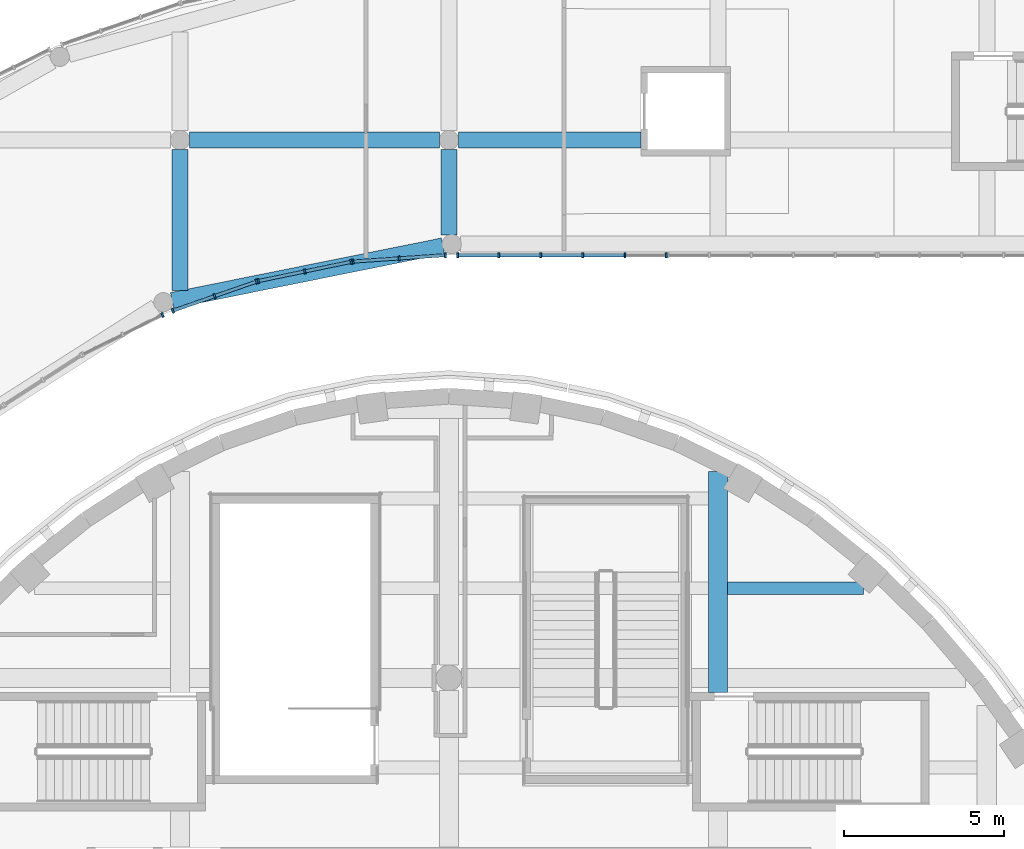
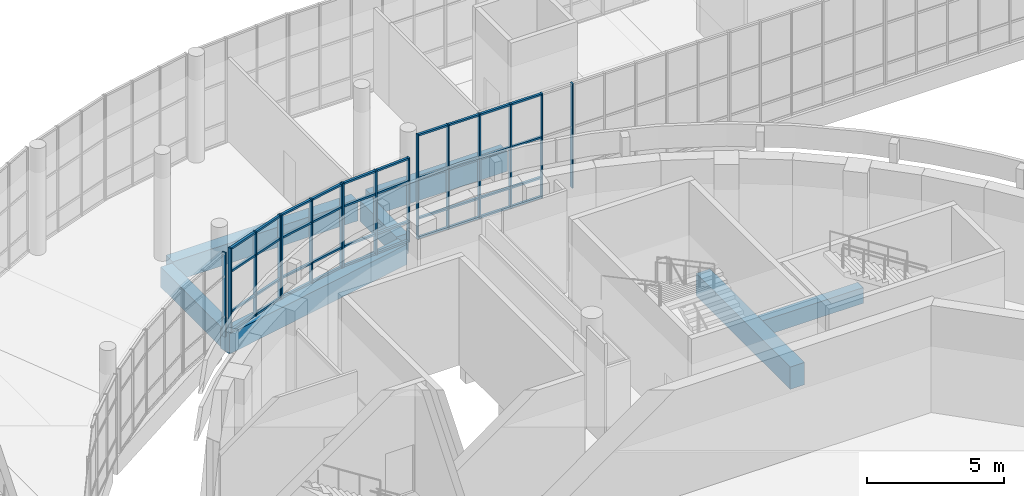
# One storey, part 29 of 119: 56 members, 7 beams, 5 elements without a shape of their own.
"""IFC4 building model written with IfcOpenShell, lengths in metres."""

from ifc_helpers import new_model, si_unit, direction, frame, origin, origin_2d, place, context, subcontext, project, spatial, rectangle, extrude, material, layer, layer_set, material_profile, profile_set, type_object, element, aggregate, save


model = new_model("IFC4")

# Units and contexts
model_context = context("Model", 3, precision=1e-05, world=origin(), true_north=direction((0.0, 1.0)))
body_context = subcontext(model_context, "Body", "Model", "MODEL_VIEW")
ifc_project = project(units=[si_unit("LENGTHUNIT", "METRE"), si_unit("AREAUNIT", "SQUARE_METRE"), si_unit("VOLUMEUNIT", "CUBIC_METRE"), si_unit("PLANEANGLEUNIT", "RADIAN"), si_unit("MASSUNIT", "GRAM", prefix="KILO")], contexts=[model_context])

# Site, building, storey
site_placement = place(None, origin())
site = spatial("IfcSite", under=ifc_project, at=site_placement, CompositionType="ELEMENT")
building_placement = place(site_placement, origin())
building = spatial("IfcBuilding", under=site, at=building_placement, Name="Larchfold Concert Hall", CompositionType="ELEMENT")
storey_placement = place(building_placement, frame((0.0, 0.0, 4.800048828125)))
storey = spatial("IfcBuildingStorey", under=building, at=storey_placement, Name="L01", CompositionType="ELEMENT", Elevation=4.800048828125)

# Curtain wall, member
ifc_material_1 = material(Name="Anodised graphite aluminium curtain wall", Category="aluminium")
ifc_layer = layer(ifc_material_1, 0.14990234375)
ifc_layer_set = layer_set([ifc_layer], Name="Anodised graphite aluminium curtain wall")
curtain_wall_type = type_object("IfcCurtainWallType", Name="Curtain wall WG", PredefinedType="NOTDEFINED", material=ifc_layer_set)
curtain_wall_1_placement = place(storey_placement, origin())
curtain_wall_1 = element("IfcCurtainWall", 1, at=curtain_wall_1_placement, inside=storey, type_object=curtain_wall_type, Name="Curtain wall CW0162", PredefinedType="NOTDEFINED")
ifc_material_2 = material(Name="Anodised graphite aluminium mullion", Category="aluminium")
ifc_material_profile_1 = material_profile(ifc_material_2, rectangle(XDim=0.14990234375, YDim=0.06005859375, at=origin_2d()))
ifc_profile_set_1 = profile_set([ifc_material_profile_1], Name="Anodised graphite aluminium mullion")
member_type_1 = type_object("IfcMemberType", Name="Aluminium mullion 60x150", PredefinedType="MULLION", material=ifc_profile_set_1)
member_1_placement = place(storey_placement, frame((33.65087890625, 121.135498046875, 0.0), z_axis=(0.0, 0.0, 1.0), x_axis=(-0.442304846598, 0.896864773907, 0.0)))
member_1 = element("IfcMember", 2, at=member_1_placement, type_object=member_type_1, Name="CW0162 mullion 3", PredefinedType="MULLION", context=body_context, shape_type="SweptSolid", body=[
    extrude(rectangle(XDim=0.14990234375, YDim=0.06005859375, at=origin_2d()), origin(), (0.0, 0.0, 1.0), 3.75),
])
aggregate(curtain_wall_1, [member_1])

# Curtain wall, members
curtain_wall_2_placement = place(storey_placement, origin())
curtain_wall_2 = element("IfcCurtainWall", 3, at=curtain_wall_2_placement, inside=storey, type_object=curtain_wall_type, Name="Curtain wall CW0163", PredefinedType="NOTDEFINED")
member_2_placement = place(storey_placement, frame((33.97412109375, 121.268310546875, 0.0), z_axis=(0.0, 0.0, 1.0), x_axis=(-0.32896587199, 0.944341810504, 0.0)))
member_2 = element("IfcMember", 4, at=member_2_placement, type_object=member_type_1, Name="CW0163 mullion 1", PredefinedType="MULLION", context=body_context, shape_type="SweptSolid", body=[
    extrude(rectangle(XDim=0.14990234375, YDim=0.06005859375, at=origin_2d()), origin(), (0.0, 0.0, 1.0), 3.75),
])
member_3_placement = place(storey_placement, frame((35.28125, 121.723876953125, 0.0), z_axis=(0.0, 0.0, 1.0), x_axis=(-0.32896587199, 0.944341810504, 0.0)))
member_3 = element("IfcMember", 5, at=member_3_placement, type_object=member_type_1, Name="CW0163 mullion 2", PredefinedType="MULLION", context=body_context, shape_type="SweptSolid", body=[
    extrude(rectangle(XDim=0.14990234375, YDim=0.06005859375, at=origin_2d()), origin(), (0.0, 0.0, 1.0), 3.75),
])
member_4_placement = place(storey_placement, frame((36.58837890625, 122.17919921875, 0.0), z_axis=(0.0, 0.0, 1.0), x_axis=(-0.32896587199, 0.944341810504, 0.0)))
member_4 = element("IfcMember", 6, at=member_4_placement, type_object=member_type_1, Name="CW0163 mullion 3", PredefinedType="MULLION", context=body_context, shape_type="SweptSolid", body=[
    extrude(rectangle(XDim=0.14990234375, YDim=0.06005859375, at=origin_2d()), origin(), (0.0, 0.0, 1.0), 3.75),
])

curtain_wall_3_placement = place(storey_placement, origin())
curtain_wall_3 = element("IfcCurtainWall", 7, at=curtain_wall_3_placement, inside=storey, type_object=curtain_wall_type, Name="Curtain wall CW0164", PredefinedType="NOTDEFINED")
member_5_placement = place(storey_placement, frame((36.64599609375, 122.195068359375, 0.0), z_axis=(0.0, 0.0, 1.0), x_axis=(-0.203062857741, 0.979165703957, 0.0)))
member_5 = element("IfcMember", 8, at=member_5_placement, type_object=member_type_1, Name="CW0164 mullion 1", PredefinedType="MULLION", context=body_context, shape_type="SweptSolid", body=[
    extrude(rectangle(XDim=0.14990234375, YDim=0.06005859375, at=origin_2d()), origin(), (0.0, 0.0, 1.0), 3.75),
])
member_6_placement = place(storey_placement, frame((38.0947265625, 122.495361328125, 0.0), z_axis=(0.0, 0.0, 1.0), x_axis=(-0.203062857741, 0.979165703957, 0.0)))
member_6 = element("IfcMember", 9, at=member_6_placement, type_object=member_type_1, Name="CW0164 mullion 2", PredefinedType="MULLION", context=body_context, shape_type="SweptSolid", body=[
    extrude(rectangle(XDim=0.14990234375, YDim=0.06005859375, at=origin_2d()), origin(), (0.0, 0.0, 1.0), 3.75),
])
member_7_placement = place(storey_placement, frame((39.54345703125, 122.7958984375, 0.0), z_axis=(0.0, 0.0, 1.0), x_axis=(-0.203062857741, 0.979165703957, 0.0)))
member_7 = element("IfcMember", 10, at=member_7_placement, type_object=member_type_1, Name="CW0164 mullion 3", PredefinedType="MULLION", context=body_context, shape_type="SweptSolid", body=[
    extrude(rectangle(XDim=0.14990234375, YDim=0.06005859375, at=origin_2d()), origin(), (0.0, 0.0, 1.0), 3.75),
])

curtain_wall_4_placement = place(storey_placement, origin())
curtain_wall_4 = element("IfcCurtainWall", 11, at=curtain_wall_4_placement, inside=storey, type_object=curtain_wall_type, Name="Curtain wall CW0165", PredefinedType="NOTDEFINED")
member_8_placement = place(storey_placement, frame((39.602783203125, 122.803955078125, 0.0), z_axis=(0.0, 0.0, 1.0), x_axis=(-0.068699827674, 0.997637375842, 0.0)))
member_8 = element("IfcMember", 12, at=member_8_placement, type_object=member_type_1, Name="CW0165 mullion 1", PredefinedType="MULLION", context=body_context, shape_type="SweptSolid", body=[
    extrude(rectangle(XDim=0.14990234375, YDim=0.06005859375, at=origin_2d()), origin(), (0.0, 0.0, 1.0), 3.75),
])
member_9_placement = place(storey_placement, frame((41.044189453125, 122.9033203125, 0.0), z_axis=(0.0, 0.0, 1.0), x_axis=(-0.068699827674, 0.997637375842, 0.0)))
member_9 = element("IfcMember", 13, at=member_9_placement, type_object=member_type_1, Name="CW0165 mullion 2", PredefinedType="MULLION", context=body_context, shape_type="SweptSolid", body=[
    extrude(rectangle(XDim=0.14990234375, YDim=0.06005859375, at=origin_2d()), origin(), (0.0, 0.0, 1.0), 3.75),
])
member_10_placement = place(storey_placement, frame((42.4853515625, 123.002685546875, 0.0), z_axis=(0.0, 0.0, 1.0), x_axis=(-0.068699827674, 0.997637375842, 0.0)))
member_10 = element("IfcMember", 14, at=member_10_placement, type_object=member_type_1, Name="CW0165 mullion 3", PredefinedType="MULLION", context=body_context, shape_type="SweptSolid", body=[
    extrude(rectangle(XDim=0.14990234375, YDim=0.06005859375, at=origin_2d()), origin(), (0.0, 0.0, 1.0), 3.75),
])

curtain_wall_5_placement = place(storey_placement, origin())
curtain_wall_5 = element("IfcCurtainWall", 15, at=curtain_wall_5_placement, inside=storey, type_object=curtain_wall_type, Name="Curtain wall CW0166", PredefinedType="NOTDEFINED")
member_11_placement = place(storey_placement, frame((42.87158203125, 123.0, 0.0), z_axis=(0.0, 0.0, 1.0), x_axis=(0.0, 1.0, 0.0)))
member_11 = element("IfcMember", 16, at=member_11_placement, type_object=member_type_1, Name="CW0166 mullion 1", PredefinedType="MULLION", context=body_context, shape_type="SweptSolid", body=[
    extrude(rectangle(XDim=0.14990234375, YDim=0.06005859375, at=origin_2d()), origin(), (0.0, 0.0, 1.0), 4.64990234375),
])
member_12_placement = place(storey_placement, frame((44.155517578125, 123.0, 0.0), z_axis=(0.0, 0.0, 1.0), x_axis=(0.0, 1.0, 0.0)))
member_12 = element("IfcMember", 17, at=member_12_placement, type_object=member_type_1, Name="CW0166 mullion 2", PredefinedType="MULLION", context=body_context, shape_type="SweptSolid", body=[
    extrude(rectangle(XDim=0.14990234375, YDim=0.06005859375, at=origin_2d()), origin(), (0.0, 0.0, 1.0), 4.64990234375),
])
member_13_placement = place(storey_placement, frame((45.4697265625, 123.0, 0.0), z_axis=(0.0, 0.0, 1.0), x_axis=(0.0, 1.0, 0.0)))
member_13 = element("IfcMember", 18, at=member_13_placement, type_object=member_type_1, Name="CW0166 mullion 3", PredefinedType="MULLION", context=body_context, shape_type="SweptSolid", body=[
    extrude(rectangle(XDim=0.14990234375, YDim=0.06005859375, at=origin_2d()), origin(), (0.0, 0.0, 1.0), 4.64990234375),
])
member_14_placement = place(storey_placement, frame((46.78369140625, 123.0, 0.0), z_axis=(0.0, 0.0, 1.0), x_axis=(0.0, 1.0, 0.0)))
member_14 = element("IfcMember", 19, at=member_14_placement, type_object=member_type_1, Name="CW0166 mullion 4", PredefinedType="MULLION", context=body_context, shape_type="SweptSolid", body=[
    extrude(rectangle(XDim=0.14990234375, YDim=0.06005859375, at=origin_2d()), origin(), (0.0, 0.0, 1.0), 4.64990234375),
])
member_15_placement = place(storey_placement, frame((48.097900390625, 123.0, 0.0), z_axis=(0.0, 0.0, 1.0), x_axis=(0.0, 1.0, 0.0)))
member_15 = element("IfcMember", 20, at=member_15_placement, type_object=member_type_1, Name="CW0166 mullion 5", PredefinedType="MULLION", context=body_context, shape_type="SweptSolid", body=[
    extrude(rectangle(XDim=0.14990234375, YDim=0.06005859375, at=origin_2d()), origin(), (0.0, 0.0, 1.0), 4.64990234375),
])
member_16_placement = place(storey_placement, frame((49.3818359375, 123.0, 0.0), z_axis=(0.0, 0.0, 1.0), x_axis=(0.0, 1.0, 0.0)))
member_16 = element("IfcMember", 21, at=member_16_placement, type_object=member_type_1, Name="CW0166 mullion 6", PredefinedType="MULLION", context=body_context, shape_type="SweptSolid", body=[
    extrude(rectangle(XDim=0.14990234375, YDim=0.06005859375, at=origin_2d()), origin(), (0.0, 0.0, 1.0), 4.64990234375),
])

# Member
ifc_material_3 = material(Name="Anodised graphite aluminium transom", Category="aluminium")
ifc_material_profile_2 = material_profile(ifc_material_3, rectangle(XDim=0.10009765625, YDim=0.080078125, at=origin_2d()))
ifc_profile_set_2 = profile_set([ifc_material_profile_2], Name="Anodised graphite aluminium transom")
member_type_2 = type_object("IfcMemberType", Name="Aluminium transom 80x100", PredefinedType="USERDEFINED", material=ifc_profile_set_2)
member_17_placement = place(storey_placement, frame((34.00244140625, 121.2783203125, 0.0400390625), z_axis=(0.944357421744, 0.328921054352, 0.0), x_axis=(-0.328921054352, 0.944357421744, 0.0)))
member_17 = element("IfcMember", 22, at=member_17_placement, type_object=member_type_2, Name="CW0163 transom 1.1", ObjectType="TRANSOM", PredefinedType="USERDEFINED", context=body_context, shape_type="SweptSolid", body=[
    extrude(rectangle(XDim=0.10009765625, YDim=0.080078125, at=origin_2d()), origin(), (0.0, 0.0, 1.0), 1.32421875),
])

member_18_placement = place(storey_placement, frame((34.00244140625, 121.2783203125, 0.89990234375), z_axis=(0.944357421744, 0.328921054352, 0.0), x_axis=(-0.328921054352, 0.944357421744, 0.0)))
member_18 = element("IfcMember", 23, at=member_18_placement, type_object=member_type_2, Name="CW0163 transom 1.2", ObjectType="TRANSOM", PredefinedType="USERDEFINED", context=body_context, shape_type="SweptSolid", body=[
    extrude(rectangle(XDim=0.10009765625, YDim=0.080078125, at=origin_2d()), origin(), (0.0, 0.0, 1.0), 1.32421875),
])

member_19_placement = place(storey_placement, frame((34.00244140625, 121.2783203125, 2.699951171875), z_axis=(0.944357421744, 0.328921054352, 0.0), x_axis=(-0.328921054352, 0.944357421744, 0.0)))
member_19 = element("IfcMember", 24, at=member_19_placement, type_object=member_type_2, Name="CW0163 transom 1.3", ObjectType="TRANSOM", PredefinedType="USERDEFINED", context=body_context, shape_type="SweptSolid", body=[
    extrude(rectangle(XDim=0.10009765625, YDim=0.080078125, at=origin_2d()), origin(), (0.0, 0.0, 1.0), 1.32421875),
])

member_20_placement = place(storey_placement, frame((34.00244140625, 121.2783203125, 3.7099609375), z_axis=(0.944357421744, 0.328921054352, 0.0), x_axis=(-0.328921054352, 0.944357421744, 0.0)))
member_20 = element("IfcMember", 25, at=member_20_placement, type_object=member_type_2, Name="CW0163 transom 1.4", ObjectType="TRANSOM", PredefinedType="USERDEFINED", context=body_context, shape_type="SweptSolid", body=[
    extrude(rectangle(XDim=0.10009765625, YDim=0.080078125, at=origin_2d()), origin(), (0.0, 0.0, 1.0), 1.32421875),
])

member_21_placement = place(storey_placement, frame((35.3095703125, 121.733642578125, 0.0400390625), z_axis=(0.944357421744, 0.328921054352, 0.0), x_axis=(-0.328921054352, 0.944357421744, 0.0)))
member_21 = element("IfcMember", 26, at=member_21_placement, type_object=member_type_2, Name="CW0163 transom 2.1", ObjectType="TRANSOM", PredefinedType="USERDEFINED", context=body_context, shape_type="SweptSolid", body=[
    extrude(rectangle(XDim=0.10009765625, YDim=0.080078125, at=origin_2d()), origin(), (0.0, 0.0, 1.0), 1.32421875),
])

member_22_placement = place(storey_placement, frame((35.3095703125, 121.733642578125, 0.89990234375), z_axis=(0.944357421744, 0.328921054352, 0.0), x_axis=(-0.328921054352, 0.944357421744, 0.0)))
member_22 = element("IfcMember", 27, at=member_22_placement, type_object=member_type_2, Name="CW0163 transom 2.2", ObjectType="TRANSOM", PredefinedType="USERDEFINED", context=body_context, shape_type="SweptSolid", body=[
    extrude(rectangle(XDim=0.10009765625, YDim=0.080078125, at=origin_2d()), origin(), (0.0, 0.0, 1.0), 1.32421875),
])

member_23_placement = place(storey_placement, frame((35.3095703125, 121.733642578125, 2.699951171875), z_axis=(0.944357421744, 0.328921054352, 0.0), x_axis=(-0.328921054352, 0.944357421744, 0.0)))
member_23 = element("IfcMember", 28, at=member_23_placement, type_object=member_type_2, Name="CW0163 transom 2.3", ObjectType="TRANSOM", PredefinedType="USERDEFINED", context=body_context, shape_type="SweptSolid", body=[
    extrude(rectangle(XDim=0.10009765625, YDim=0.080078125, at=origin_2d()), origin(), (0.0, 0.0, 1.0), 1.32421875),
])

member_24_placement = place(storey_placement, frame((35.3095703125, 121.733642578125, 3.7099609375), z_axis=(0.944357421744, 0.328921054352, 0.0), x_axis=(-0.328921054352, 0.944357421744, 0.0)))
member_24 = element("IfcMember", 29, at=member_24_placement, type_object=member_type_2, Name="CW0163 transom 2.4", ObjectType="TRANSOM", PredefinedType="USERDEFINED", context=body_context, shape_type="SweptSolid", body=[
    extrude(rectangle(XDim=0.10009765625, YDim=0.080078125, at=origin_2d()), origin(), (0.0, 0.0, 1.0), 1.32421875),
])

aggregate(curtain_wall_2, [member_2, member_3, member_4, member_17, member_18, member_19, member_20, member_21, member_22, member_23, member_24])

member_25_placement = place(storey_placement, frame((36.675537109375, 122.201171875, 0.0400390625), z_axis=(0.979153204185, 0.203123122105, 0.0), x_axis=(-0.203123122105, 0.979153204185, 0.0)))
member_25 = element("IfcMember", 30, at=member_25_placement, type_object=member_type_2, Name="CW0164 transom 1.1", ObjectType="TRANSOM", PredefinedType="USERDEFINED", context=body_context, shape_type="SweptSolid", body=[
    extrude(rectangle(XDim=0.10009765625, YDim=0.080078125, at=origin_2d()), origin(), (0.0, 0.0, 1.0), 1.41943359375),
])

member_26_placement = place(storey_placement, frame((36.675537109375, 122.201171875, 0.89990234375), z_axis=(0.979153204185, 0.203123122105, 0.0), x_axis=(-0.203123122105, 0.979153204185, 0.0)))
member_26 = element("IfcMember", 31, at=member_26_placement, type_object=member_type_2, Name="CW0164 transom 1.2", ObjectType="TRANSOM", PredefinedType="USERDEFINED", context=body_context, shape_type="SweptSolid", body=[
    extrude(rectangle(XDim=0.10009765625, YDim=0.080078125, at=origin_2d()), origin(), (0.0, 0.0, 1.0), 1.41943359375),
])

member_27_placement = place(storey_placement, frame((36.675537109375, 122.201171875, 2.699951171875), z_axis=(0.979153204185, 0.203123122105, 0.0), x_axis=(-0.203123122105, 0.979153204185, 0.0)))
member_27 = element("IfcMember", 32, at=member_27_placement, type_object=member_type_2, Name="CW0164 transom 1.3", ObjectType="TRANSOM", PredefinedType="USERDEFINED", context=body_context, shape_type="SweptSolid", body=[
    extrude(rectangle(XDim=0.10009765625, YDim=0.080078125, at=origin_2d()), origin(), (0.0, 0.0, 1.0), 1.41943359375),
])

member_28_placement = place(storey_placement, frame((36.675537109375, 122.201171875, 3.7099609375), z_axis=(0.979153204185, 0.203123122105, 0.0), x_axis=(-0.203123122105, 0.979153204185, 0.0)))
member_28 = element("IfcMember", 33, at=member_28_placement, type_object=member_type_2, Name="CW0164 transom 1.4", ObjectType="TRANSOM", PredefinedType="USERDEFINED", context=body_context, shape_type="SweptSolid", body=[
    extrude(rectangle(XDim=0.10009765625, YDim=0.080078125, at=origin_2d()), origin(), (0.0, 0.0, 1.0), 1.41943359375),
])

member_29_placement = place(storey_placement, frame((38.1240234375, 122.50146484375, 0.0400390625), z_axis=(0.979153204185, 0.203123122105, 0.0), x_axis=(-0.203123122105, 0.979153204185, 0.0)))
member_29 = element("IfcMember", 34, at=member_29_placement, type_object=member_type_2, Name="CW0164 transom 2.1", ObjectType="TRANSOM", PredefinedType="USERDEFINED", context=body_context, shape_type="SweptSolid", body=[
    extrude(rectangle(XDim=0.10009765625, YDim=0.080078125, at=origin_2d()), origin(), (0.0, 0.0, 1.0), 1.41943359375),
])

member_30_placement = place(storey_placement, frame((38.1240234375, 122.50146484375, 0.89990234375), z_axis=(0.979153204185, 0.203123122105, 0.0), x_axis=(-0.203123122105, 0.979153204185, 0.0)))
member_30 = element("IfcMember", 35, at=member_30_placement, type_object=member_type_2, Name="CW0164 transom 2.2", ObjectType="TRANSOM", PredefinedType="USERDEFINED", context=body_context, shape_type="SweptSolid", body=[
    extrude(rectangle(XDim=0.10009765625, YDim=0.080078125, at=origin_2d()), origin(), (0.0, 0.0, 1.0), 1.41943359375),
])

member_31_placement = place(storey_placement, frame((38.1240234375, 122.50146484375, 2.699951171875), z_axis=(0.979153204185, 0.203123122105, 0.0), x_axis=(-0.203123122105, 0.979153204185, 0.0)))
member_31 = element("IfcMember", 36, at=member_31_placement, type_object=member_type_2, Name="CW0164 transom 2.3", ObjectType="TRANSOM", PredefinedType="USERDEFINED", context=body_context, shape_type="SweptSolid", body=[
    extrude(rectangle(XDim=0.10009765625, YDim=0.080078125, at=origin_2d()), origin(), (0.0, 0.0, 1.0), 1.41943359375),
])

member_32_placement = place(storey_placement, frame((38.1240234375, 122.50146484375, 3.7099609375), z_axis=(0.979153204185, 0.203123122105, 0.0), x_axis=(-0.203123122105, 0.979153204185, 0.0)))
member_32 = element("IfcMember", 37, at=member_32_placement, type_object=member_type_2, Name="CW0164 transom 2.4", ObjectType="TRANSOM", PredefinedType="USERDEFINED", context=body_context, shape_type="SweptSolid", body=[
    extrude(rectangle(XDim=0.10009765625, YDim=0.080078125, at=origin_2d()), origin(), (0.0, 0.0, 1.0), 1.41943359375),
])

aggregate(curtain_wall_3, [member_5, member_6, member_7, member_25, member_26, member_27, member_28, member_29, member_30, member_31, member_32])

member_33_placement = place(storey_placement, frame((39.632568359375, 122.80615234375, 0.0400390625), z_axis=(0.997633665313, 0.068753689605, 0.0), x_axis=(-0.068753689605, 0.997633665313, 0.0)))
member_33 = element("IfcMember", 38, at=member_33_placement, type_object=member_type_2, Name="CW0165 transom 1.1", ObjectType="TRANSOM", PredefinedType="USERDEFINED", context=body_context, shape_type="SweptSolid", body=[
    extrude(rectangle(XDim=0.10009765625, YDim=0.080078125, at=origin_2d()), origin(), (0.0, 0.0, 1.0), 1.384765625),
])

member_34_placement = place(storey_placement, frame((39.632568359375, 122.80615234375, 0.89990234375), z_axis=(0.997633665313, 0.068753689605, 0.0), x_axis=(-0.068753689605, 0.997633665313, 0.0)))
member_34 = element("IfcMember", 39, at=member_34_placement, type_object=member_type_2, Name="CW0165 transom 1.2", ObjectType="TRANSOM", PredefinedType="USERDEFINED", context=body_context, shape_type="SweptSolid", body=[
    extrude(rectangle(XDim=0.10009765625, YDim=0.080078125, at=origin_2d()), origin(), (0.0, 0.0, 1.0), 1.384765625),
])

member_35_placement = place(storey_placement, frame((39.632568359375, 122.80615234375, 2.699951171875), z_axis=(0.997633665313, 0.068753689605, 0.0), x_axis=(-0.068753689605, 0.997633665313, 0.0)))
member_35 = element("IfcMember", 40, at=member_35_placement, type_object=member_type_2, Name="CW0165 transom 1.3", ObjectType="TRANSOM", PredefinedType="USERDEFINED", context=body_context, shape_type="SweptSolid", body=[
    extrude(rectangle(XDim=0.10009765625, YDim=0.080078125, at=origin_2d()), origin(), (0.0, 0.0, 1.0), 1.384765625),
])

member_36_placement = place(storey_placement, frame((39.632568359375, 122.80615234375, 3.7099609375), z_axis=(0.997633665313, 0.068753689605, 0.0), x_axis=(-0.068753689605, 0.997633665313, 0.0)))
member_36 = element("IfcMember", 41, at=member_36_placement, type_object=member_type_2, Name="CW0165 transom 1.4", ObjectType="TRANSOM", PredefinedType="USERDEFINED", context=body_context, shape_type="SweptSolid", body=[
    extrude(rectangle(XDim=0.10009765625, YDim=0.080078125, at=origin_2d()), origin(), (0.0, 0.0, 1.0), 1.384765625),
])

member_37_placement = place(storey_placement, frame((41.073974609375, 122.9052734375, 0.0400390625), z_axis=(0.997633665313, 0.068753689605, 0.0), x_axis=(-0.068753689605, 0.997633665313, 0.0)))
member_37 = element("IfcMember", 42, at=member_37_placement, type_object=member_type_2, Name="CW0165 transom 2.1", ObjectType="TRANSOM", PredefinedType="USERDEFINED", context=body_context, shape_type="SweptSolid", body=[
    extrude(rectangle(XDim=0.10009765625, YDim=0.080078125, at=origin_2d()), origin(), (0.0, 0.0, 1.0), 1.384765625),
])

member_38_placement = place(storey_placement, frame((41.073974609375, 122.9052734375, 0.89990234375), z_axis=(0.997633665313, 0.068753689605, 0.0), x_axis=(-0.068753689605, 0.997633665313, 0.0)))
member_38 = element("IfcMember", 43, at=member_38_placement, type_object=member_type_2, Name="CW0165 transom 2.2", ObjectType="TRANSOM", PredefinedType="USERDEFINED", context=body_context, shape_type="SweptSolid", body=[
    extrude(rectangle(XDim=0.10009765625, YDim=0.080078125, at=origin_2d()), origin(), (0.0, 0.0, 1.0), 1.384765625),
])

member_39_placement = place(storey_placement, frame((41.073974609375, 122.9052734375, 2.699951171875), z_axis=(0.997633665313, 0.068753689605, 0.0), x_axis=(-0.068753689605, 0.997633665313, 0.0)))
member_39 = element("IfcMember", 44, at=member_39_placement, type_object=member_type_2, Name="CW0165 transom 2.3", ObjectType="TRANSOM", PredefinedType="USERDEFINED", context=body_context, shape_type="SweptSolid", body=[
    extrude(rectangle(XDim=0.10009765625, YDim=0.080078125, at=origin_2d()), origin(), (0.0, 0.0, 1.0), 1.384765625),
])

member_40_placement = place(storey_placement, frame((41.073974609375, 122.9052734375, 3.7099609375), z_axis=(0.997633665313, 0.068753689605, 0.0), x_axis=(-0.068753689605, 0.997633665313, 0.0)))
member_40 = element("IfcMember", 45, at=member_40_placement, type_object=member_type_2, Name="CW0165 transom 2.4", ObjectType="TRANSOM", PredefinedType="USERDEFINED", context=body_context, shape_type="SweptSolid", body=[
    extrude(rectangle(XDim=0.10009765625, YDim=0.080078125, at=origin_2d()), origin(), (0.0, 0.0, 1.0), 1.384765625),
])

aggregate(curtain_wall_4, [member_8, member_9, member_10, member_33, member_34, member_35, member_36, member_37, member_38, member_39, member_40])

member_41_placement = place(storey_placement, frame((42.901611328125, 123.0, 0.0400390625), z_axis=(1.0, 0.0, 0.0), x_axis=(0.0, 1.0, 0.0)))
member_41 = element("IfcMember", 46, at=member_41_placement, type_object=member_type_2, Name="CW0166 transom 1.1", ObjectType="TRANSOM", PredefinedType="USERDEFINED", context=body_context, shape_type="SweptSolid", body=[
    extrude(rectangle(XDim=0.10009765625, YDim=0.080078125, at=origin_2d()), origin(), (0.0, 0.0, 1.0), 1.22412109375),
])

member_42_placement = place(storey_placement, frame((42.901611328125, 123.0, 0.89990234375), z_axis=(1.0, 0.0, 0.0), x_axis=(0.0, 1.0, 0.0)))
member_42 = element("IfcMember", 47, at=member_42_placement, type_object=member_type_2, Name="CW0166 transom 1.2", ObjectType="TRANSOM", PredefinedType="USERDEFINED", context=body_context, shape_type="SweptSolid", body=[
    extrude(rectangle(XDim=0.10009765625, YDim=0.080078125, at=origin_2d()), origin(), (0.0, 0.0, 1.0), 1.22412109375),
])

member_43_placement = place(storey_placement, frame((42.901611328125, 123.0, 2.699951171875), z_axis=(1.0, 0.0, 0.0), x_axis=(0.0, 1.0, 0.0)))
member_43 = element("IfcMember", 48, at=member_43_placement, type_object=member_type_2, Name="CW0166 transom 1.3", ObjectType="TRANSOM", PredefinedType="USERDEFINED", context=body_context, shape_type="SweptSolid", body=[
    extrude(rectangle(XDim=0.10009765625, YDim=0.080078125, at=origin_2d()), origin(), (0.0, 0.0, 1.0), 1.22412109375),
])

member_44_placement = place(storey_placement, frame((42.901611328125, 123.0, 4.60986328125), z_axis=(1.0, 0.0, 0.0), x_axis=(0.0, 1.0, 0.0)))
member_44 = element("IfcMember", 49, at=member_44_placement, type_object=member_type_2, Name="CW0166 transom 1.4", ObjectType="TRANSOM", PredefinedType="USERDEFINED", context=body_context, shape_type="SweptSolid", body=[
    extrude(rectangle(XDim=0.10009765625, YDim=0.080078125, at=origin_2d()), origin(), (0.0, 0.0, 1.0), 1.22412109375),
])

member_45_placement = place(storey_placement, frame((44.185546875, 123.0, 0.0400390625), z_axis=(1.0, 0.0, 0.0), x_axis=(0.0, 1.0, 0.0)))
member_45 = element("IfcMember", 50, at=member_45_placement, type_object=member_type_2, Name="CW0166 transom 2.1", ObjectType="TRANSOM", PredefinedType="USERDEFINED", context=body_context, shape_type="SweptSolid", body=[
    extrude(rectangle(XDim=0.10009765625, YDim=0.080078125, at=origin_2d()), origin(), (0.0, 0.0, 1.0), 1.254150390625),
])

member_46_placement = place(storey_placement, frame((44.185546875, 123.0, 0.89990234375), z_axis=(1.0, 0.0, 0.0), x_axis=(0.0, 1.0, 0.0)))
member_46 = element("IfcMember", 51, at=member_46_placement, type_object=member_type_2, Name="CW0166 transom 2.2", ObjectType="TRANSOM", PredefinedType="USERDEFINED", context=body_context, shape_type="SweptSolid", body=[
    extrude(rectangle(XDim=0.10009765625, YDim=0.080078125, at=origin_2d()), origin(), (0.0, 0.0, 1.0), 1.254150390625),
])

member_47_placement = place(storey_placement, frame((44.185546875, 123.0, 2.699951171875), z_axis=(1.0, 0.0, 0.0), x_axis=(0.0, 1.0, 0.0)))
member_47 = element("IfcMember", 52, at=member_47_placement, type_object=member_type_2, Name="CW0166 transom 2.3", ObjectType="TRANSOM", PredefinedType="USERDEFINED", context=body_context, shape_type="SweptSolid", body=[
    extrude(rectangle(XDim=0.10009765625, YDim=0.080078125, at=origin_2d()), origin(), (0.0, 0.0, 1.0), 1.254150390625),
])

member_48_placement = place(storey_placement, frame((44.185546875, 123.0, 4.60986328125), z_axis=(1.0, 0.0, 0.0), x_axis=(0.0, 1.0, 0.0)))
member_48 = element("IfcMember", 53, at=member_48_placement, type_object=member_type_2, Name="CW0166 transom 2.4", ObjectType="TRANSOM", PredefinedType="USERDEFINED", context=body_context, shape_type="SweptSolid", body=[
    extrude(rectangle(XDim=0.10009765625, YDim=0.080078125, at=origin_2d()), origin(), (0.0, 0.0, 1.0), 1.254150390625),
])

member_49_placement = place(storey_placement, frame((45.499755859375, 123.0, 0.0400390625), z_axis=(1.0, 0.0, 0.0), x_axis=(0.0, 1.0, 0.0)))
member_49 = element("IfcMember", 54, at=member_49_placement, type_object=member_type_2, Name="CW0166 transom 3.1", ObjectType="TRANSOM", PredefinedType="USERDEFINED", context=body_context, shape_type="SweptSolid", body=[
    extrude(rectangle(XDim=0.10009765625, YDim=0.080078125, at=origin_2d()), origin(), (0.0, 0.0, 1.0), 1.25390625),
])

member_50_placement = place(storey_placement, frame((45.499755859375, 123.0, 0.89990234375), z_axis=(1.0, 0.0, 0.0), x_axis=(0.0, 1.0, 0.0)))
member_50 = element("IfcMember", 55, at=member_50_placement, type_object=member_type_2, Name="CW0166 transom 3.2", ObjectType="TRANSOM", PredefinedType="USERDEFINED", context=body_context, shape_type="SweptSolid", body=[
    extrude(rectangle(XDim=0.10009765625, YDim=0.080078125, at=origin_2d()), origin(), (0.0, 0.0, 1.0), 1.25390625),
])

member_51_placement = place(storey_placement, frame((45.499755859375, 123.0, 2.699951171875), z_axis=(1.0, 0.0, 0.0), x_axis=(0.0, 1.0, 0.0)))
member_51 = element("IfcMember", 56, at=member_51_placement, type_object=member_type_2, Name="CW0166 transom 3.3", ObjectType="TRANSOM", PredefinedType="USERDEFINED", context=body_context, shape_type="SweptSolid", body=[
    extrude(rectangle(XDim=0.10009765625, YDim=0.080078125, at=origin_2d()), origin(), (0.0, 0.0, 1.0), 1.25390625),
])

member_52_placement = place(storey_placement, frame((45.499755859375, 123.0, 4.60986328125), z_axis=(1.0, 0.0, 0.0), x_axis=(0.0, 1.0, 0.0)))
member_52 = element("IfcMember", 57, at=member_52_placement, type_object=member_type_2, Name="CW0166 transom 3.4", ObjectType="TRANSOM", PredefinedType="USERDEFINED", context=body_context, shape_type="SweptSolid", body=[
    extrude(rectangle(XDim=0.10009765625, YDim=0.080078125, at=origin_2d()), origin(), (0.0, 0.0, 1.0), 1.25390625),
])

member_53_placement = place(storey_placement, frame((46.813720703125, 123.0, 0.0400390625), z_axis=(1.0, 0.0, 0.0), x_axis=(0.0, 1.0, 0.0)))
member_53 = element("IfcMember", 58, at=member_53_placement, type_object=member_type_2, Name="CW0166 transom 4.1", ObjectType="TRANSOM", PredefinedType="USERDEFINED", context=body_context, shape_type="SweptSolid", body=[
    extrude(rectangle(XDim=0.10009765625, YDim=0.080078125, at=origin_2d()), origin(), (0.0, 0.0, 1.0), 1.254150390625),
])

member_54_placement = place(storey_placement, frame((46.813720703125, 123.0, 0.89990234375), z_axis=(1.0, 0.0, 0.0), x_axis=(0.0, 1.0, 0.0)))
member_54 = element("IfcMember", 59, at=member_54_placement, type_object=member_type_2, Name="CW0166 transom 4.2", ObjectType="TRANSOM", PredefinedType="USERDEFINED", context=body_context, shape_type="SweptSolid", body=[
    extrude(rectangle(XDim=0.10009765625, YDim=0.080078125, at=origin_2d()), origin(), (0.0, 0.0, 1.0), 1.254150390625),
])

member_55_placement = place(storey_placement, frame((46.813720703125, 123.0, 2.699951171875), z_axis=(1.0, 0.0, 0.0), x_axis=(0.0, 1.0, 0.0)))
member_55 = element("IfcMember", 60, at=member_55_placement, type_object=member_type_2, Name="CW0166 transom 4.3", ObjectType="TRANSOM", PredefinedType="USERDEFINED", context=body_context, shape_type="SweptSolid", body=[
    extrude(rectangle(XDim=0.10009765625, YDim=0.080078125, at=origin_2d()), origin(), (0.0, 0.0, 1.0), 1.254150390625),
])

member_56_placement = place(storey_placement, frame((46.813720703125, 123.0, 4.60986328125), z_axis=(1.0, 0.0, 0.0), x_axis=(0.0, 1.0, 0.0)))
member_56 = element("IfcMember", 61, at=member_56_placement, type_object=member_type_2, Name="CW0166 transom 4.4", ObjectType="TRANSOM", PredefinedType="USERDEFINED", context=body_context, shape_type="SweptSolid", body=[
    extrude(rectangle(XDim=0.10009765625, YDim=0.080078125, at=origin_2d()), origin(), (0.0, 0.0, 1.0), 1.254150390625),
])

aggregate(curtain_wall_5, [member_11, member_12, member_13, member_14, member_15, member_16, member_41, member_42, member_43, member_44, member_45, member_46, member_47, member_48, member_49, member_50, member_51, member_52, member_53, member_54, member_55, member_56])

# Beams
ifc_material_4 = material(Name="Concrete C35/45", Category="concrete")
ifc_material_profile_3 = material_profile(ifc_material_4, rectangle(XDim=0.39990234375, YDim=0.699951171875, at=origin_2d()))
ifc_profile_set_3 = profile_set([ifc_material_profile_3], Name="Concrete C35/45")
beam_type_1 = type_object("IfcBeamType", Name="Beam RC 400x700", PredefinedType="BEAM", material=ifc_profile_set_3)
beam_1_placement = place(storey_placement, frame((51.300048828125, 112.60009765625, -0.550048828125), z_axis=(1.0, 0.0, 0.0), x_axis=(0.0, 1.0, 0.0)))
element("IfcBeam", 62, at=beam_1_placement, inside=storey, type_object=beam_type_1, Name="Beam B1264", PredefinedType="BEAM", context=body_context, shape_type="SweptSolid", body=[
    extrude(rectangle(XDim=0.39990234375, YDim=0.699951171875, at=origin_2d()), origin(), (0.0, 0.0, 1.0), 4.245361328125),
])
ifc_material_5 = material(Name="Concrete C35/45", Category="concrete")
ifc_material_profile_4 = material_profile(ifc_material_5, rectangle(XDim=0.5, YDim=0.89990234375, at=origin_2d()))
ifc_profile_set_4 = profile_set([ifc_material_profile_4], Name="Concrete C35/45")
beam_type_2 = type_object("IfcBeamType", Name="Beam RC 500x900", PredefinedType="BEAM", material=ifc_profile_set_4)
beam_2_placement = place(storey_placement, frame((42.409423828125, 123.294677734375, -0.60009765625), z_axis=(-0.980300012055, -0.197514268765, 0.0), x_axis=(0.197514268765, -0.980300012055, 0.0)))
element("IfcBeam", 63, at=beam_2_placement, inside=storey, type_object=beam_type_2, Name="Beam B1882", PredefinedType="BEAM", context=body_context, shape_type="SweptSolid", body=[
    extrude(rectangle(XDim=0.5, YDim=0.89990234375, at=origin_2d()), origin(), (0.0, 0.0, 1.0), 8.62890625),
])
beam_3_placement = place(storey_placement, frame((34.199951171875, 121.8955078125, -0.60009765625), z_axis=(0.0, 1.0, 0.0), x_axis=(-1.0, 0.0, 0.0)))
element("IfcBeam", 64, at=beam_3_placement, inside=storey, type_object=beam_type_2, Name="Beam B1901", PredefinedType="BEAM", context=body_context, shape_type="SweptSolid", body=[
    extrude(rectangle(XDim=0.5, YDim=0.89990234375, at=origin_2d()), origin(), (0.0, 0.0, 1.0), 4.40576171875),
])
beam_4_placement = place(storey_placement, frame((42.60009765625, 123.63671875, -0.60009765625), z_axis=(0.0, 1.0, 0.0), x_axis=(-1.0, 0.0, 0.0)))
element("IfcBeam", 65, at=beam_4_placement, inside=storey, type_object=beam_type_2, Name="Beam B1903", PredefinedType="BEAM", context=body_context, shape_type="SweptSolid", body=[
    extrude(rectangle(XDim=0.5, YDim=0.89990234375, at=origin_2d()), origin(), (0.0, 0.0, 1.0), 2.66455078125),
])
beam_5_placement = place(storey_placement, frame((34.498779296875, 126.60009765625, -0.60009765625), z_axis=(1.0, 0.0, 0.0), x_axis=(0.0, 1.0, 0.0)))
element("IfcBeam", 66, at=beam_5_placement, inside=storey, type_object=beam_type_2, Name="Beam B1931", PredefinedType="BEAM", context=body_context, shape_type="SweptSolid", body=[
    extrude(rectangle(XDim=0.5, YDim=0.89990234375, at=origin_2d()), origin(), (0.0, 0.0, 1.0), 7.802490234375),
])
beam_6_placement = place(storey_placement, frame((42.898681640625, 126.60009765625, -0.60009765625), z_axis=(1.0, 0.0, 0.0), x_axis=(0.0, 1.0, 0.0)))
element("IfcBeam", 67, at=beam_6_placement, inside=storey, type_object=beam_type_2, Name="Beam B1932", PredefinedType="BEAM", context=body_context, shape_type="SweptSolid", body=[
    extrude(rectangle(XDim=0.5, YDim=0.89990234375, at=origin_2d()), origin(), (0.0, 0.0, 1.0), 5.701416015625),
])
ifc_material_6 = material(Name="Concrete C35/45", Category="concrete")
ifc_material_profile_5 = material_profile(ifc_material_6, rectangle(XDim=0.60009765625, YDim=1.0, at=origin_2d()))
ifc_profile_set_5 = profile_set([ifc_material_profile_5], Name="Concrete C35/45")
beam_type_3 = type_object("IfcBeamType", Name="Beam RC 600x1000", PredefinedType="BEAM", material=ifc_profile_set_5)
beam_7_placement = place(storey_placement, frame((51.0, 109.35009765625, -0.699951171875), z_axis=(0.0, 1.0, 0.0), x_axis=(-1.0, 0.0, 0.0)))
element("IfcBeam", 68, at=beam_7_placement, inside=storey, type_object=beam_type_3, Name="Beam B1192", PredefinedType="BEAM", context=body_context, shape_type="SweptSolid", body=[
    extrude(rectangle(XDim=0.60009765625, YDim=1.0, at=origin_2d()), origin(), (0.0, 0.0, 1.0), 6.893798828125),
])

save(model, "model.ifc")
